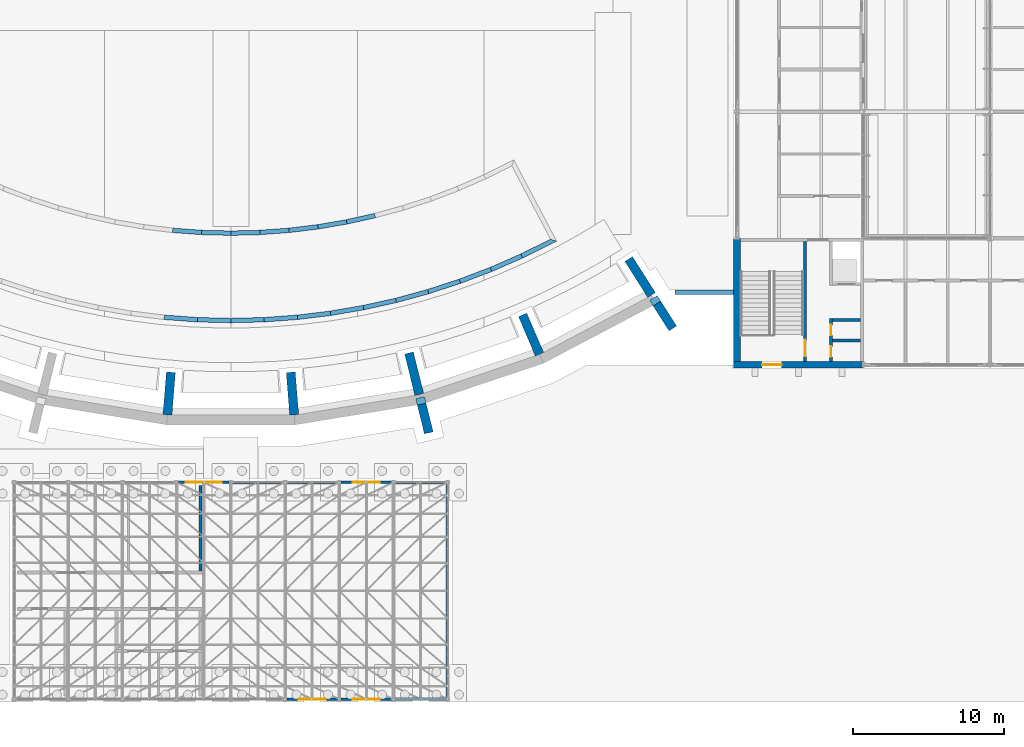
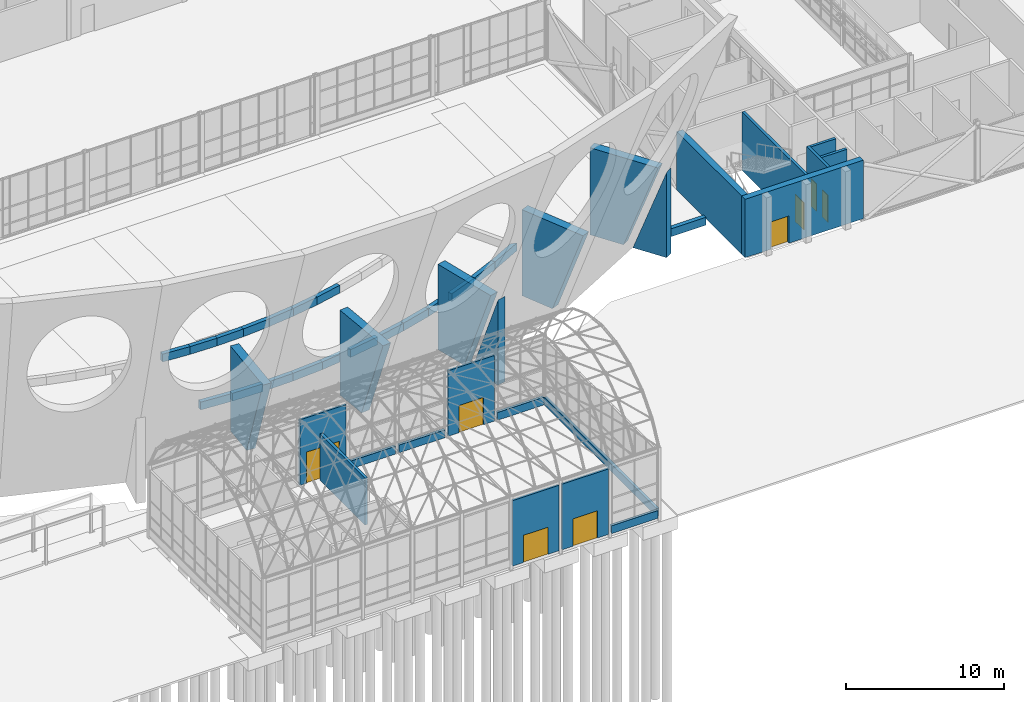
# One storey, part 87 of 116: 43 walls, 8 doors, 8 openings.
"""IFC4 building model written with IfcOpenShell, lengths in metres."""

from ifc_helpers import new_model, si_unit, direction, frame, frame_2d, origin, place, context, subcontext, project, spatial, polyline, rectangle, outline, extrude, material, layer, layer_set, type_object, element, fill, save


model = new_model("IFC4")

# Units and contexts
model_context = context("Model", 3, precision=1e-05, world=origin(), true_north=direction((0.0, 1.0)))
body_context = subcontext(model_context, "Body", "Model", "MODEL_VIEW")
ifc_project = project(units=[si_unit("LENGTHUNIT", "METRE"), si_unit("AREAUNIT", "SQUARE_METRE"), si_unit("VOLUMEUNIT", "CUBIC_METRE"), si_unit("PLANEANGLEUNIT", "RADIAN"), si_unit("MASSUNIT", "GRAM", prefix="KILO")], contexts=[model_context])

# Site, building, storey
site_placement = place(None, origin())
site = spatial("IfcSite", under=ifc_project, at=site_placement, CompositionType="ELEMENT")
building_placement = place(site_placement, origin())
building = spatial("IfcBuilding", under=site, at=building_placement, Name="Ardhachandra Cancer Care Centre", CompositionType="ELEMENT")
storey_placement = place(building_placement, origin())
storey = spatial("IfcBuildingStorey", under=building, at=storey_placement, Name="L00", CompositionType="ELEMENT", Elevation=0.0)

# Walls
ifc_material_1 = material(Name="Concrete M40", Category="concrete")
ifc_layer_1 = layer(ifc_material_1, 0.60009765625)
ifc_layer_set_1 = layer_set([ifc_layer_1], Name="Concrete M40")
wall_type_1 = type_object("IfcWallType", Name="Buttress fin 600", PredefinedType="STANDARD", material=ifc_layer_set_1)
for number, where, z_axis, x_axis, name in (
    (1, (90.5673828125, 27.21142578125, 0.0), (0.0, 0.0, 1.0), (0.240189097283, -0.97072611871, 0.0), "Buttress fin 3"),
    (2, (106.057373046875, 33.8388671875, 0.0), (0.0, 0.0, 1.0), (0.536302707516, -0.84402571401, 0.0), "Buttress fin 4"),
):
    element("IfcWall", number, at=place(storey_placement, frame(where, z_axis=z_axis, x_axis=x_axis)), inside=storey, type_object=wall_type_1, Name=name, PredefinedType="STANDARD", context=body_context, shape_type="SweptSolid", body=[
        extrude(outline(polyline([(0.0, 0.0), (2.39990234375, 0.0), (2.39990234375, 6.572509765625), (0.0, 0.0)])), frame((0.0, 0.300048828125, 0.0), z_axis=(0.0, -1.0, 0.0), x_axis=(1.0, 0.0, 0.0)), (0.0, 0.0, 1.0), 0.60009765625),
    ])
ifc_material_2 = material(Name="Gypsum board corridor partition on steel studs", Category="steel")
ifc_layer_2 = layer(ifc_material_2, 0.199951171875)
ifc_layer_set_2 = layer_set([ifc_layer_2], Name="Gypsum board corridor partition on steel studs")
wall_type_2 = type_object("IfcWallType", Name="CORRIDOR WALL 200", PredefinedType="PARTITIONING", material=ifc_layer_set_2)
wall_1_placement = place(storey_placement, frame((76.0, 15.699951171875, 0.0), z_axis=(0.0, 0.0, 1.0), x_axis=(0.0, 1.0, 0.0)))
element("IfcWall", 3, at=wall_1_placement, inside=storey, type_object=wall_type_2, Name="R/wall/L00/v0076000_0015700", PredefinedType="PARTITIONING", context=body_context, shape_type="SweptSolid", body=[
    extrude(rectangle(XDim=5.675048828125, YDim=0.199951171875, at=frame_2d((2.83740234375, 0.0))), origin(), (0.0, 0.0, 1.0), 3.60009765625),
])

# Wall, opening, door
ifc_material_3 = material(Name="Concrete M40", Category="concrete")
ifc_layer_3 = layer(ifc_material_3, 0.449951171875)
ifc_layer_set_3 = layer_set([ifc_layer_3], Name="Concrete M40")
wall_type_3 = type_object("IfcWallType", Name="Core exterior wall RC 450", PredefinedType="SOLIDWALL", material=ifc_layer_set_3)
wall_2_placement = place(storey_placement, frame((111.375, 29.39990234375, 0.0), z_axis=(0.0, 0.0, 1.0), x_axis=(1.0, 0.0, 0.0)))
wall_2 = element("IfcWall", 4, at=wall_2_placement, inside=storey, type_object=wall_type_3, Name="Core wall K11 FAR", PredefinedType="SOLIDWALL", context=body_context, shape_type="SweptSolid", body=[
    extrude(rectangle(XDim=8.625, YDim=0.449951171875, at=frame_2d((4.3125, 0.0))), origin(), (0.0, 0.0, 1.0), 4.5),
])
opening_1_placement = place(wall_2_placement, frame((1.89990234375, 0.0, 0.0)))
opening_1 = element("IfcOpeningElement", 5, at=opening_1_placement, cuts=wall_2, Name="Opening L00-K11-6", PredefinedType="OPENING", context=body_context, shape_type="SweptSolid", body=[
    extrude(rectangle(XDim=1.300048828125, YDim=2.10009765625, at=frame_2d((0.64990234375, 1.050048828125))), frame((0.0, 0.23486328125, 0.0), z_axis=(0.0, -1.0, 0.0), x_axis=(1.0, 0.0, 0.0)), (0.0, 0.0, 1.0), 0.469970703125),
])
ifc_material_4 = material(Name="Steel door set", Category="steel")
door_type_1 = type_object("IfcDoorType", Name="Core exit double door 1300x2100 FD60S", OperationType="DOUBLE_DOOR_DOUBLE_SWING", PredefinedType="DOOR", material=ifc_material_4)
door_1_placement = place(opening_1_placement, origin())
door_1 = element("IfcDoor", 6, at=door_1_placement, inside=storey, type_object=door_type_1, Name="Stair exit door", OperationType="DOUBLE_DOOR_DOUBLE_SWING", OverallHeight=2.10009765625, OverallWidth=1.300048828125, PredefinedType="DOOR", context=body_context, shape_type="SweptSolid", body=[
    extrude(rectangle(XDim=1.300048828125, YDim=2.10009765625, at=frame_2d((0.64990234375, 1.050048828125))), frame((0.0, 0.02490234375, 0.0), z_axis=(0.0, -1.0, 0.0), x_axis=(1.0, 0.0, 0.0)), (0.0, 0.0, 1.0), 0.050048828125),
])
fill(opening_1, door_1)

# Wall
wall_3_placement = place(storey_placement, frame((111.60009765625, 37.800048828125, 0.0), z_axis=(0.0, 0.0, 1.0), x_axis=(0.0, -1.0, 0.0)))
element("IfcWall", 7, at=wall_3_placement, inside=storey, type_object=wall_type_3, Name="Core wall K11 UW", PredefinedType="SOLIDWALL", context=body_context, shape_type="SweptSolid", body=[
    extrude(rectangle(XDim=8.175048828125, YDim=0.449951171875, at=frame_2d((4.08740234375, 0.0))), origin(), (0.0, 0.0, 1.0), 4.5),
])

# Wall, opening, door
ifc_material_5 = material(Name="Concrete M40", Category="concrete")
ifc_layer_4 = layer(ifc_material_5, 0.199951171875)
ifc_layer_set_4 = layer_set([ifc_layer_4], Name="Concrete M40")
wall_type_4 = type_object("IfcWallType", Name="Core wall RC 200", PredefinedType="SOLIDWALL", material=ifc_layer_set_4)
wall_4_placement = place(storey_placement, frame((116.125, 37.60009765625, 0.0), z_axis=(0.0, 0.0, 1.0), x_axis=(0.0, -1.0, 0.0)))
wall_4 = element("IfcWall", 8, at=wall_4_placement, inside=storey, type_object=wall_type_4, Name="Core wall K11 P1", PredefinedType="SOLIDWALL", context=body_context, shape_type="SweptSolid", body=[
    extrude(rectangle(XDim=7.97509765625, YDim=0.199951171875, at=frame_2d((3.987548828125, 0.0))), origin(), (0.0, 0.0, 1.0), 4.5),
])
opening_2_placement = place(wall_4_placement, frame((6.53759765625, 0.0, 0.0)))
opening_2 = element("IfcOpeningElement", 9, at=opening_2_placement, cuts=wall_4, Name="Opening L00-K11-2", PredefinedType="OPENING", context=body_context, shape_type="SweptSolid", body=[
    extrude(rectangle(XDim=1.10009765625, YDim=2.10009765625, at=frame_2d((0.550048828125, 1.050048828125))), frame((0.0, 0.10986328125, 0.0), z_axis=(0.0, -1.0, 0.0), x_axis=(1.0, 0.0, 0.0)), (0.0, 0.0, 1.0), 0.219970703125),
])
ifc_material_6 = material(Name="Steel door set", Category="steel")
door_type_2 = type_object("IfcDoorType", Name="Stair door 1100x2100 FD60S", OperationType="NOTDEFINED", PredefinedType="DOOR", material=ifc_material_6)
door_2_placement = place(opening_2_placement, origin())
door_2 = element("IfcDoor", 10, at=door_2_placement, inside=storey, type_object=door_type_2, Name="Stair door", OperationType="SINGLE_SWING_LEFT", OverallHeight=2.10009765625, OverallWidth=1.10009765625, PredefinedType="DOOR", context=body_context, shape_type="SweptSolid", body=[
    extrude(rectangle(XDim=1.10009765625, YDim=2.10009765625, at=frame_2d((0.550048828125, 1.050048828125))), frame((0.0, 0.02490234375, 0.0), z_axis=(0.0, -1.0, 0.0), x_axis=(1.0, 0.0, 0.0)), (0.0, 0.0, 1.0), 0.050048828125),
])
fill(opening_2, door_2)

# Wall, openings, doors
wall_5_placement = place(storey_placement, frame((117.85009765625, 32.47509765625, 0.0), z_axis=(0.0, 0.0, 1.0), x_axis=(0.0, -1.0, 0.0)))
wall_5 = element("IfcWall", 11, at=wall_5_placement, inside=storey, type_object=wall_type_4, Name="Core wall K11 P2B", PredefinedType="SOLIDWALL", context=body_context, shape_type="SweptSolid", body=[
    extrude(rectangle(XDim=2.85009765625, YDim=0.199951171875, at=frame_2d((1.425048828125, 0.0))), origin(), (0.0, 0.0, 1.0), 4.35009765625),
])
opening_3_placement = place(wall_5_placement, frame((0.425048828125, 0.0, 0.0)))
opening_3 = element("IfcOpeningElement", 12, at=opening_3_placement, cuts=wall_5, Name="Opening L00-K11-4", PredefinedType="OPENING", context=body_context, shape_type="SweptSolid", body=[
    extrude(rectangle(XDim=0.699951171875, YDim=2.10009765625, at=frame_2d((0.35009765625, 1.050048828125))), frame((0.0, 0.10986328125, 0.0), z_axis=(0.0, -1.0, 0.0), x_axis=(1.0, 0.0, 0.0)), (0.0, 0.0, 1.0), 0.219970703125),
])
opening_4_placement = place(wall_5_placement, frame((1.85009765625, 0.0, 0.0)))
opening_4 = element("IfcOpeningElement", 13, at=opening_4_placement, cuts=wall_5, Name="Opening L00-K11-5", PredefinedType="OPENING", context=body_context, shape_type="SweptSolid", body=[
    extrude(rectangle(XDim=0.699951171875, YDim=2.10009765625, at=frame_2d((0.35009765625, 1.050048828125))), frame((0.0, 0.10986328125, 0.0), z_axis=(0.0, -1.0, 0.0), x_axis=(1.0, 0.0, 0.0)), (0.0, 0.0, 1.0), 0.219970703125),
])
ifc_material_7 = material(Name="Steel door set", Category="steel")
door_type_3 = type_object("IfcDoorType", Name="Riser access door 700x2100 FD120S", OperationType="NOTDEFINED", PredefinedType="DOOR", material=ifc_material_7)
door_3_placement = place(opening_3_placement, origin())
door_3 = element("IfcDoor", 14, at=door_3_placement, inside=storey, type_object=door_type_3, Name="Riser access door", OperationType="SINGLE_SWING_RIGHT", OverallHeight=2.10009765625, OverallWidth=0.699951171875, PredefinedType="DOOR", context=body_context, shape_type="SweptSolid", body=[
    extrude(rectangle(XDim=0.699951171875, YDim=2.10009765625, at=frame_2d((0.35009765625, 1.050048828125))), frame((0.0, 0.02490234375, 0.0), z_axis=(0.0, -1.0, 0.0), x_axis=(1.0, 0.0, 0.0)), (0.0, 0.0, 1.0), 0.050048828125),
])
fill(opening_3, door_3)
door_4_placement = place(opening_4_placement, origin())
door_4 = element("IfcDoor", 15, at=door_4_placement, inside=storey, type_object=door_type_3, Name="Riser access door", OperationType="SINGLE_SWING_LEFT", OverallHeight=2.10009765625, OverallWidth=0.699951171875, PredefinedType="DOOR", context=body_context, shape_type="SweptSolid", body=[
    extrude(rectangle(XDim=0.699951171875, YDim=2.10009765625, at=frame_2d((0.35009765625, 1.050048828125))), frame((0.0, 0.02490234375, 0.0), z_axis=(0.0, -1.0, 0.0), x_axis=(1.0, 0.0, 0.0)), (0.0, 0.0, 1.0), 0.050048828125),
])
fill(opening_4, door_4)

# Walls
for number, where, z_axis, x_axis, name in (
    (16, (117.949951171875, 32.375, 0.0), (0.0, 0.0, 1.0), (1.0, 0.0, 0.0), "Core wall K11 W2"),
    (17, (117.949951171875, 31.02490234375, 0.0), (0.0, 0.0, 1.0), (1.0, 0.0, 0.0), "Core wall K11 DIV"),
):
    element("IfcWall", number, at=place(storey_placement, frame(where, z_axis=z_axis, x_axis=x_axis)), inside=storey, type_object=wall_type_4, Name=name, PredefinedType="SOLIDWALL", context=body_context, shape_type="SweptSolid", body=[
        extrude(rectangle(XDim=1.85009765625, YDim=0.199951171875, at=frame_2d((0.925048828125, 0.0))), origin(), (0.0, 0.0, 1.0), 4.35009765625),
    ])
ifc_material_8 = material(Name="Concrete M40", Category="concrete")
ifc_layer_5 = layer(ifc_material_8, 0.60009765625)
ifc_layer_set_5 = layer_set([ifc_layer_5], Name="Concrete M40")
wall_type_5 = type_object("IfcWallType", Name="Counterfort rib 600", PredefinedType="STANDARD", material=ifc_layer_set_5)
for number, where, z_axis, x_axis, name in (
    (18, (73.634765625, 24.130126953125, 0.0), (0.0, 0.0, 1.0), (0.080767980253, 0.996732929809, 0.0), "Counterfort rib 4"),
    (19, (82.365234375, 24.130126953125, 0.0), (0.0, 0.0, 1.0), (-0.080767980253, 0.996732929809, 0.0), "Counterfort rib 5"),
):
    element("IfcWall", number, at=place(storey_placement, frame(where, z_axis=z_axis, x_axis=x_axis)), inside=storey, type_object=wall_type_5, Name=name, PredefinedType="STANDARD", context=body_context, shape_type="SweptSolid", body=[
        extrude(outline(polyline([(2.39111328125, 0.0), (4.791015625, 0.0), (4.791015625, 6.5478515625), (0.0, 6.5478515625), (2.39111328125, 0.0)])), frame((0.0, 0.300048828125, 0.0), z_axis=(0.0, -1.0, 0.0), x_axis=(1.0, 0.0, 0.0)), (0.0, 0.0, 1.0), 0.60009765625),
    ])
wall_6_placement = place(storey_placement, frame((90.984375, 25.52587890625, 0.0), z_axis=(0.0, 0.0, 1.0), x_axis=(-0.240213793432, 0.97072000775, 0.0)))
element("IfcWall", 20, at=wall_6_placement, inside=storey, type_object=wall_type_5, Name="Counterfort rib 6", PredefinedType="STANDARD", context=body_context, shape_type="SweptSolid", body=[
    extrude(outline(polyline([(2.401123046875, 0.0), (4.80126953125, 0.0), (4.80126953125, 6.57568359375), (0.0, 6.57568359375), (2.401123046875, 0.0)])), frame((0.0, 0.300048828125, 0.0), z_axis=(0.0, -1.0, 0.0), x_axis=(1.0, 0.0, 0.0)), (0.0, 0.0, 1.0), 0.60009765625),
])
wall_7_placement = place(storey_placement, frame((99.271728515625, 28.282958984375, 0.0), z_axis=(0.0, 0.0, 1.0), x_axis=(-0.39337528095, 0.919377989914, 0.0)))
element("IfcWall", 21, at=wall_7_placement, inside=storey, type_object=wall_type_5, Name="Counterfort rib 7", PredefinedType="STANDARD", context=body_context, shape_type="SweptSolid", body=[
    extrude(outline(polyline([(2.421142578125, 0.0), (4.8212890625, 0.0), (4.8212890625, 6.630615234375), (0.0, 6.630615234375), (2.421142578125, 0.0)])), frame((0.0, 0.300048828125, 0.0), z_axis=(0.0, -1.0, 0.0), x_axis=(1.0, 0.0, 0.0)), (0.0, 0.0, 1.0), 0.60009765625),
])
wall_8_placement = place(storey_placement, frame((107.014892578125, 32.331787109375, 0.0), z_axis=(0.0, 0.0, 1.0), x_axis=(-0.536259792521, 0.844052981113, 0.0)))
element("IfcWall", 22, at=wall_8_placement, inside=storey, type_object=wall_type_5, Name="Counterfort rib 8", PredefinedType="STANDARD", context=body_context, shape_type="SweptSolid", body=[
    extrude(outline(polyline([(2.45068359375, 0.0), (4.8505859375, 0.0), (4.8505859375, 6.711181640625), (0.0, 6.711181640625), (2.45068359375, 0.0)])), frame((0.0, 0.300048828125, 0.0), z_axis=(0.0, -1.0, 0.0), x_axis=(1.0, 0.0, 0.0)), (0.0, 0.0, 1.0), 0.60009765625),
])
ifc_material_9 = material(Name="Concrete M40", Category="concrete")
ifc_layer_6 = layer(ifc_material_9, 0.300048828125)
ifc_layer_set_6 = layer_set([ifc_layer_6], Name="Concrete M40")
wall_type_6 = type_object("IfcWallType", Name="Court edge kerb wall 300", PredefinedType="SOLIDWALL", material=ifc_layer_set_6)
wall_9_placement = place(storey_placement, frame((107.49853515625, 34.229736328125, -0.449951171875), z_axis=(0.0, 0.0, 1.0), x_axis=(1.0, 0.0, 0.0)))
element("IfcWall", 23, at=wall_9_placement, inside=storey, type_object=wall_type_6, Name="Court edge kerb east", PredefinedType="SOLIDWALL", context=body_context, shape_type="SweptSolid", body=[
    extrude(rectangle(XDim=3.87646484375, YDim=0.300048828125, at=frame_2d((1.938232421875, 0.0))), origin(), (0.0, 0.0, 1.0), 0.599853515625),
])

# Wall, opening, door
ifc_material_10 = material(Name="Aluminium glazing frame", Category="aluminium")
ifc_layer_7 = layer(ifc_material_10, 0.14990234375)
ifc_layer_set_7 = layer_set([ifc_layer_7], Name="Aluminium glazing frame")
wall_type_7 = type_object("IfcWallType", Name="Glazing frame wall 150", PredefinedType="SOLIDWALL", material=ifc_layer_set_7)
wall_10_placement = place(storey_placement, frame((81.715087890625, 7.199951171875, 0.0), z_axis=(0.0, 0.0, 1.0), x_axis=(1.0, 0.0, 0.0)))
wall_10 = element("IfcWall", 24, at=wall_10_placement, inside=storey, type_object=wall_type_7, Name="E/wall/L00/s/0081600_0007200", PredefinedType="SOLIDWALL", context=body_context, shape_type="SweptSolid", body=[
    extrude(rectangle(XDim=3.369873046875, YDim=0.14990234375, at=frame_2d((1.68505859375, 0.0))), origin(), (0.0, 0.0, 1.0), 5.050048828125),
])
opening_5_placement = place(wall_10_placement, frame((0.784912109375, 0.0, 0.0)))
opening_5 = element("IfcOpeningElement", 25, at=opening_5_placement, cuts=wall_10, Name="Opening L00-X17", PredefinedType="OPENING", context=body_context, shape_type="SweptSolid", body=[
    extrude(rectangle(XDim=1.800048828125, YDim=2.10009765625, at=frame_2d((0.89990234375, 1.050048828125))), frame((0.0, 0.0849609375, 0.0), z_axis=(0.0, -1.0, 0.0), x_axis=(1.0, 0.0, 0.0)), (0.0, 0.0, 1.0), 0.169921875),
])
ifc_material_11 = material(Name="Hollow steel door set with fire-rated infill", Category="steel")
door_type_4 = type_object("IfcDoorType", Name="Exit door pair 1800 x 2100", OperationType="DOUBLE_DOOR_SINGLE_SWING", PredefinedType="DOOR", material=ifc_material_11)
door_5_placement = place(opening_5_placement, origin())
door_5 = element("IfcDoor", 26, at=door_5_placement, inside=storey, type_object=door_type_4, Name="Pavilion Garden Door L00-X17", OperationType="SINGLE_SWING_LEFT", OverallHeight=2.10009765625, OverallWidth=1.800048828125, PredefinedType="DOOR", context=body_context, shape_type="SweptSolid", body=[
    extrude(rectangle(XDim=1.800048828125, YDim=2.10009765625, at=frame_2d((0.89990234375, 1.050048828125))), frame((0.0, 0.02490234375, 0.0), z_axis=(0.0, -1.0, 0.0), x_axis=(1.0, 0.0, 0.0)), (0.0, 0.0, 1.0), 0.050048828125),
])
fill(opening_5, door_5)

wall_11_placement = place(storey_placement, frame((85.31494140625, 7.199951171875, 0.0), z_axis=(0.0, 0.0, 1.0), x_axis=(1.0, 0.0, 0.0)))
wall_11 = element("IfcWall", 27, at=wall_11_placement, inside=storey, type_object=wall_type_7, Name="E/wall/L00/s/0085200_0007200", PredefinedType="SOLIDWALL", context=body_context, shape_type="SweptSolid", body=[
    extrude(rectangle(XDim=3.3701171875, YDim=0.14990234375, at=frame_2d((1.68505859375, 0.0))), origin(), (0.0, 0.0, 1.0), 5.050048828125),
])
opening_6_placement = place(wall_11_placement, frame((0.784912109375, 0.0, 0.0)))
opening_6 = element("IfcOpeningElement", 28, at=opening_6_placement, cuts=wall_11, Name="Opening L00-X19", PredefinedType="OPENING", context=body_context, shape_type="SweptSolid", body=[
    extrude(rectangle(XDim=1.800048828125, YDim=2.10009765625, at=frame_2d((0.89990234375, 1.050048828125))), frame((0.0, 0.0849609375, 0.0), z_axis=(0.0, -1.0, 0.0), x_axis=(1.0, 0.0, 0.0)), (0.0, 0.0, 1.0), 0.169921875),
])
door_6_placement = place(opening_6_placement, origin())
door_6 = element("IfcDoor", 29, at=door_6_placement, inside=storey, type_object=door_type_4, Name="Garden Hall South Exit Door L00-X19", OperationType="SINGLE_SWING_LEFT", OverallHeight=2.10009765625, OverallWidth=1.800048828125, PredefinedType="DOOR", context=body_context, shape_type="SweptSolid", body=[
    extrude(rectangle(XDim=1.800048828125, YDim=2.10009765625, at=frame_2d((0.89990234375, 1.050048828125))), frame((0.0, 0.02490234375, 0.0), z_axis=(0.0, -1.0, 0.0), x_axis=(1.0, 0.0, 0.0)), (0.0, 0.0, 1.0), 0.050048828125),
])
fill(opening_6, door_6)

wall_12_placement = place(storey_placement, frame((74.514892578125, 21.60009765625, 0.0), z_axis=(0.0, 0.0, 1.0), x_axis=(1.0, 0.0, 0.0)))
wall_12 = element("IfcWall", 30, at=wall_12_placement, inside=storey, type_object=wall_type_7, Name="E/wall/L00/n/0074400_0021600", PredefinedType="SOLIDWALL", context=body_context, shape_type="SweptSolid", body=[
    extrude(rectangle(XDim=3.3701171875, YDim=0.14990234375, at=frame_2d((1.68505859375, 0.0))), origin(), (0.0, 0.0, 1.0), 5.050048828125),
])
opening_7_placement = place(wall_12_placement, frame((0.485107421875, 0.0, 0.0)))
opening_7 = element("IfcOpeningElement", 31, at=opening_7_placement, cuts=wall_12, Name="Opening L00-X16", PredefinedType="OPENING", context=body_context, shape_type="SweptSolid", body=[
    extrude(rectangle(XDim=2.39990234375, YDim=2.39990234375, at=frame_2d((1.199951171875, 1.199951171875))), frame((0.0, 0.0849609375, 0.0), z_axis=(0.0, -1.0, 0.0), x_axis=(1.0, 0.0, 0.0)), (0.0, 0.0, 1.0), 0.169921875),
])
ifc_material_12 = material(Name="Aluminium frame with toughened glass", Category="aluminium")
door_type_5 = type_object("IfcDoorType", Name="Entrance door pair 2400 x 2400", OperationType="SLIDING_TO_LEFT", PredefinedType="DOOR", material=ifc_material_12)
door_7_placement = place(opening_7_placement, origin())
door_7 = element("IfcDoor", 32, at=door_7_placement, inside=storey, type_object=door_type_5, Name="Pavilion Entrance L00-X16", OperationType="SINGLE_SWING_LEFT", OverallHeight=2.39990234375, OverallWidth=2.39990234375, PredefinedType="DOOR", context=body_context, shape_type="SweptSolid", body=[
    extrude(rectangle(XDim=2.39990234375, YDim=2.39990234375, at=frame_2d((1.199951171875, 1.199951171875))), frame((0.0, 0.02490234375, 0.0), z_axis=(0.0, -1.0, 0.0), x_axis=(1.0, 0.0, 0.0)), (0.0, 0.0, 1.0), 0.050048828125),
])
fill(opening_7, door_7)

wall_13_placement = place(storey_placement, frame((85.31494140625, 21.60009765625, 0.0), z_axis=(0.0, 0.0, 1.0), x_axis=(1.0, 0.0, 0.0)))
wall_13 = element("IfcWall", 33, at=wall_13_placement, inside=storey, type_object=wall_type_7, Name="E/wall/L00/n/0085200_0021600", PredefinedType="SOLIDWALL", context=body_context, shape_type="SweptSolid", body=[
    extrude(rectangle(XDim=3.3701171875, YDim=0.14990234375, at=frame_2d((1.68505859375, 0.0))), origin(), (0.0, 0.0, 1.0), 5.050048828125),
])
opening_8_placement = place(wall_13_placement, frame((0.784912109375, 0.0, 0.0)))
opening_8 = element("IfcOpeningElement", 34, at=opening_8_placement, cuts=wall_13, Name="Opening L00-X18", PredefinedType="OPENING", context=body_context, shape_type="SweptSolid", body=[
    extrude(rectangle(XDim=1.800048828125, YDim=2.10009765625, at=frame_2d((0.89990234375, 1.050048828125))), frame((0.0, 0.0849609375, 0.0), z_axis=(0.0, -1.0, 0.0), x_axis=(1.0, 0.0, 0.0)), (0.0, 0.0, 1.0), 0.169921875),
])
door_8_placement = place(opening_8_placement, origin())
door_8 = element("IfcDoor", 35, at=door_8_placement, inside=storey, type_object=door_type_4, Name="Garden Hall North Exit Door L00-X18", OperationType="SINGLE_SWING_LEFT", OverallHeight=2.10009765625, OverallWidth=1.800048828125, PredefinedType="DOOR", context=body_context, shape_type="SweptSolid", body=[
    extrude(rectangle(XDim=1.800048828125, YDim=2.10009765625, at=frame_2d((0.89990234375, 1.050048828125))), frame((0.0, 0.02490234375, 0.0), z_axis=(0.0, -1.0, 0.0), x_axis=(1.0, 0.0, 0.0)), (0.0, 0.0, 1.0), 0.050048828125),
])
fill(opening_8, door_8)

# Walls
ifc_material_13 = material(Name="Stone masonry (sandstone, cement mortar)", Category="masonry")
ifc_layer_8 = layer(ifc_material_13, 0.199951171875)
ifc_layer_set_8 = layer_set([ifc_layer_8], Name="Stone masonry (sandstone, cement mortar)")
wall_type_8 = type_object("IfcWallType", Name="Pavilion low wall 200", PredefinedType="SOLIDWALL", material=ifc_layer_set_8)
wall_14_placement = place(storey_placement, frame((88.9150390625, 7.199951171875, 0.0), z_axis=(0.0, 0.0, 1.0), x_axis=(1.0, 0.0, 0.0)))
element("IfcWall", 36, at=wall_14_placement, inside=storey, type_object=wall_type_8, Name="Pavilion plinth wall s 8", PredefinedType="SOLIDWALL", context=body_context, shape_type="SweptSolid", body=[
    extrude(rectangle(XDim=3.369873046875, YDim=0.199951171875, at=frame_2d((1.68505859375, 0.0))), origin(), (0.0, 0.0, 1.0), 0.60009765625),
])
wall_15_placement = place(storey_placement, frame((78.114990234375, 21.60009765625, 0.0), z_axis=(0.0, 0.0, 1.0), x_axis=(1.0, 0.0, 0.0)))
element("IfcWall", 37, at=wall_15_placement, inside=storey, type_object=wall_type_8, Name="Pavilion plinth wall n 5", PredefinedType="SOLIDWALL", context=body_context, shape_type="SweptSolid", body=[
    extrude(rectangle(XDim=3.3701171875, YDim=0.199951171875, at=frame_2d((1.68505859375, 0.0))), origin(), (0.0, 0.0, 1.0), 0.60009765625),
])
for number, where, z_axis, x_axis, name in (
    (38, (81.715087890625, 21.60009765625, 0.0), (0.0, 0.0, 1.0), (1.0, 0.0, 0.0), "Pavilion plinth wall n 6"),
    (39, (88.9150390625, 21.60009765625, 0.0), (0.0, 0.0, 1.0), (1.0, 0.0, 0.0), "Pavilion plinth wall n 8"),
):
    element("IfcWall", number, at=place(storey_placement, frame(where, z_axis=z_axis, x_axis=x_axis)), inside=storey, type_object=wall_type_8, Name=name, PredefinedType="SOLIDWALL", context=body_context, shape_type="SweptSolid", body=[
        extrude(rectangle(XDim=3.369873046875, YDim=0.199951171875, at=frame_2d((1.68505859375, 0.0))), origin(), (0.0, 0.0, 1.0), 0.60009765625),
    ])
wall_16_placement = place(storey_placement, frame((92.39990234375, 7.31494140625, 0.0), z_axis=(0.0, 0.0, 1.0), x_axis=(0.0, 1.0, 0.0)))
element("IfcWall", 40, at=wall_16_placement, inside=storey, type_object=wall_type_8, Name="Pavilion end plinth wall e", PredefinedType="SOLIDWALL", context=body_context, shape_type="SweptSolid", body=[
    extrude(rectangle(XDim=14.170166015625, YDim=0.199951171875, at=frame_2d((7.0849609375, 0.0))), origin(), (0.0, 0.0, 1.0), 0.60009765625),
])
ifc_material_14 = material(Name="Granite", Category="masonry")
ifc_layer_9 = layer(ifc_material_14, 0.300048828125)
ifc_layer_set_9 = layer_set([ifc_layer_9], Name="Granite")
wall_type_9 = type_object("IfcWallType", Name="Pool kerb 300 granite", PredefinedType="SOLIDWALL", material=ifc_layer_set_9)
wall_17_placement = place(storey_placement, frame((0.0, 0.0, -0.449951171875)))
element("IfcWall", 41, at=wall_17_placement, inside=storey, type_object=wall_type_9, Name="Pool kerb 9", PredefinedType="SOLIDWALL", context=body_context, shape_type="SweptSolid", body=[
    extrude(outline(polyline([(73.591064453125, 32.703125), (75.79296875, 32.542724609375), (75.7783203125, 32.242919921875), (73.56201171875, 32.404541015625), (73.591064453125, 32.703125)])), origin(), (0.0, 0.0, 1.0), 0.599853515625),
])
wall_18_placement = place(storey_placement, frame((0.0, 0.0, -0.449951171875)))
element("IfcWall", 42, at=wall_18_placement, inside=storey, type_object=wall_type_9, Name="Pool kerb 10", PredefinedType="SOLIDWALL", context=body_context, shape_type="SweptSolid", body=[
    extrude(outline(polyline([(75.79296875, 32.542724609375), (78.0, 32.4892578125), (78.0, 32.18896484375), (75.7783203125, 32.242919921875), (75.79296875, 32.542724609375)])), origin(), (0.0, 0.0, 1.0), 0.599853515625),
])
wall_19_placement = place(storey_placement, frame((0.0, 0.0, -0.449951171875)))
element("IfcWall", 43, at=wall_19_placement, inside=storey, type_object=wall_type_9, Name="Pool kerb 11", PredefinedType="SOLIDWALL", context=body_context, shape_type="SweptSolid", body=[
    extrude(outline(polyline([(78.0, 32.4892578125), (80.20703125, 32.542724609375), (80.2216796875, 32.242919921875), (78.0, 32.18896484375), (78.0, 32.4892578125)])), origin(), (0.0, 0.0, 1.0), 0.599853515625),
])
wall_20_placement = place(storey_placement, frame((0.0, 0.0, -0.449951171875)))
element("IfcWall", 44, at=wall_20_placement, inside=storey, type_object=wall_type_9, Name="Pool kerb 12", PredefinedType="SOLIDWALL", context=body_context, shape_type="SweptSolid", body=[
    extrude(outline(polyline([(80.20703125, 32.542724609375), (82.408935546875, 32.703125), (82.43798828125, 32.404541015625), (80.2216796875, 32.242919921875), (80.20703125, 32.542724609375)])), origin(), (0.0, 0.0, 1.0), 0.599853515625),
])
wall_21_placement = place(storey_placement, frame((0.0, 0.0, -0.449951171875)))
element("IfcWall", 45, at=wall_21_placement, inside=storey, type_object=wall_type_9, Name="Pool kerb 13", PredefinedType="SOLIDWALL", context=body_context, shape_type="SweptSolid", body=[
    extrude(outline(polyline([(82.408935546875, 32.703125), (84.600341796875, 32.97021484375), (84.64404296875, 32.67333984375), (82.43798828125, 32.404541015625), (82.408935546875, 32.703125)])), origin(), (0.0, 0.0, 1.0), 0.599853515625),
])
wall_22_placement = place(storey_placement, frame((0.0, 0.0, -0.449951171875)))
element("IfcWall", 46, at=wall_22_placement, inside=storey, type_object=wall_type_9, Name="Pool kerb 14", PredefinedType="SOLIDWALL", context=body_context, shape_type="SweptSolid", body=[
    extrude(outline(polyline([(84.600341796875, 32.97021484375), (86.7763671875, 33.343505859375), (86.834228515625, 33.048828125), (84.64404296875, 32.67333984375), (84.600341796875, 32.97021484375)])), origin(), (0.0, 0.0, 1.0), 0.599853515625),
])
wall_23_placement = place(storey_placement, frame((0.0, 0.0, -0.449951171875)))
element("IfcWall", 47, at=wall_23_placement, inside=storey, type_object=wall_type_9, Name="Pool kerb 15", PredefinedType="SOLIDWALL", context=body_context, shape_type="SweptSolid", body=[
    extrude(outline(polyline([(86.7763671875, 33.343505859375), (88.931640625, 33.821533203125), (89.00390625, 33.5302734375), (86.834228515625, 33.048828125), (86.7763671875, 33.343505859375)])), origin(), (0.0, 0.0, 1.0), 0.599853515625),
])
wall_24_placement = place(storey_placement, frame((0.0, 0.0, -0.449951171875)))
element("IfcWall", 48, at=wall_24_placement, inside=storey, type_object=wall_type_9, Name="Pool kerb 16", PredefinedType="SOLIDWALL", context=body_context, shape_type="SweptSolid", body=[
    extrude(outline(polyline([(88.931640625, 33.821533203125), (91.061279296875, 34.403564453125), (91.1474609375, 34.1162109375), (89.00390625, 33.5302734375), (88.931640625, 33.821533203125)])), origin(), (0.0, 0.0, 1.0), 0.599853515625),
])
wall_25_placement = place(storey_placement, frame((0.0, 0.0, -0.449951171875)))
element("IfcWall", 49, at=wall_25_placement, inside=storey, type_object=wall_type_9, Name="Pool kerb 17", PredefinedType="SOLIDWALL", context=body_context, shape_type="SweptSolid", body=[
    extrude(outline(polyline([(91.061279296875, 34.403564453125), (93.16015625, 35.08837890625), (93.260009765625, 34.805419921875), (91.1474609375, 34.1162109375), (91.061279296875, 34.403564453125)])), origin(), (0.0, 0.0, 1.0), 0.599853515625),
])
wall_26_placement = place(storey_placement, frame((0.0, 0.0, -0.449951171875)))
element("IfcWall", 50, at=wall_26_placement, inside=storey, type_object=wall_type_9, Name="Pool kerb 18", PredefinedType="SOLIDWALL", context=body_context, shape_type="SweptSolid", body=[
    extrude(outline(polyline([(93.16015625, 35.08837890625), (95.223388671875, 35.8740234375), (95.3369140625, 35.59619140625), (93.260009765625, 34.805419921875), (93.16015625, 35.08837890625)])), origin(), (0.0, 0.0, 1.0), 0.599853515625),
])
wall_27_placement = place(storey_placement, frame((0.0, 0.0, -0.449951171875)))
element("IfcWall", 51, at=wall_27_placement, inside=storey, type_object=wall_type_9, Name="Pool kerb 19", PredefinedType="SOLIDWALL", context=body_context, shape_type="SweptSolid", body=[
    extrude(outline(polyline([(95.223388671875, 35.8740234375), (97.24609375, 36.7587890625), (97.372802734375, 36.487060546875), (95.3369140625, 35.59619140625), (95.223388671875, 35.8740234375)])), origin(), (0.0, 0.0, 1.0), 0.599853515625),
])
wall_28_placement = place(storey_placement, frame((0.0, 0.0, -0.449951171875)))
element("IfcWall", 52, at=wall_28_placement, inside=storey, type_object=wall_type_9, Name="Pool kerb 20", PredefinedType="SOLIDWALL", context=body_context, shape_type="SweptSolid", body=[
    extrude(outline(polyline([(97.24609375, 36.7587890625), (99.223388671875, 37.74072265625), (99.632080078125, 37.608642578125), (97.372802734375, 36.487060546875), (97.24609375, 36.7587890625)])), origin(), (0.0, 0.0, 1.0), 0.599853515625),
])
wall_29_placement = place(storey_placement, frame((0.0, 0.0, -0.449951171875)))
element("IfcWall", 53, at=wall_29_placement, inside=storey, type_object=wall_type_9, Name="Pool kerb 27", PredefinedType="SOLIDWALL", context=body_context, shape_type="SweptSolid", body=[
    extrude(outline(polyline([(87.610595703125, 39.16064453125), (85.7158203125, 38.740234375), (85.657958984375, 39.03466796875), (87.53857421875, 39.451904296875), (87.610595703125, 39.16064453125)])), origin(), (0.0, 0.0, 1.0), 0.599853515625),
])
wall_30_placement = place(storey_placement, frame((0.0, 0.0, -0.449951171875)))
element("IfcWall", 54, at=wall_30_placement, inside=storey, type_object=wall_type_9, Name="Pool kerb 28", PredefinedType="SOLIDWALL", context=body_context, shape_type="SweptSolid", body=[
    extrude(outline(polyline([(85.7158203125, 38.740234375), (83.802734375, 38.412109375), (83.75927734375, 38.708984375), (85.657958984375, 39.03466796875), (85.7158203125, 38.740234375)])), origin(), (0.0, 0.0, 1.0), 0.599853515625),
])
wall_31_placement = place(storey_placement, frame((0.0, 0.0, -0.449951171875)))
element("IfcWall", 55, at=wall_31_placement, inside=storey, type_object=wall_type_9, Name="Pool kerb 29", PredefinedType="SOLIDWALL", context=body_context, shape_type="SweptSolid", body=[
    extrude(outline(polyline([(83.802734375, 38.412109375), (81.876220703125, 38.17724609375), (81.846923828125, 38.47607421875), (83.75927734375, 38.708984375), (83.802734375, 38.412109375)])), origin(), (0.0, 0.0, 1.0), 0.599853515625),
])
wall_32_placement = place(storey_placement, frame((0.0, 0.0, -0.449951171875)))
element("IfcWall", 56, at=wall_32_placement, inside=storey, type_object=wall_type_9, Name="Pool kerb 30", PredefinedType="SOLIDWALL", context=body_context, shape_type="SweptSolid", body=[
    extrude(outline(polyline([(81.876220703125, 38.17724609375), (79.9404296875, 38.0361328125), (79.92578125, 38.3359375), (81.846923828125, 38.47607421875), (81.876220703125, 38.17724609375)])), origin(), (0.0, 0.0, 1.0), 0.599853515625),
])
wall_33_placement = place(storey_placement, frame((0.0, 0.0, -0.449951171875)))
element("IfcWall", 57, at=wall_33_placement, inside=storey, type_object=wall_type_9, Name="Pool kerb 31", PredefinedType="SOLIDWALL", context=body_context, shape_type="SweptSolid", body=[
    extrude(outline(polyline([(79.9404296875, 38.0361328125), (78.0, 37.9892578125), (78.0, 38.289306640625), (79.92578125, 38.3359375), (79.9404296875, 38.0361328125)])), origin(), (0.0, 0.0, 1.0), 0.599853515625),
])
wall_34_placement = place(storey_placement, frame((0.0, 0.0, -0.449951171875)))
element("IfcWall", 58, at=wall_34_placement, inside=storey, type_object=wall_type_9, Name="Pool kerb 32", PredefinedType="SOLIDWALL", context=body_context, shape_type="SweptSolid", body=[
    extrude(outline(polyline([(78.0, 37.9892578125), (76.0595703125, 38.0361328125), (76.07421875, 38.3359375), (78.0, 38.289306640625), (78.0, 37.9892578125)])), origin(), (0.0, 0.0, 1.0), 0.599853515625),
])
wall_35_placement = place(storey_placement, frame((0.0, 0.0, -0.449951171875)))
element("IfcWall", 59, at=wall_35_placement, inside=storey, type_object=wall_type_9, Name="Pool kerb 33", PredefinedType="SOLIDWALL", context=body_context, shape_type="SweptSolid", body=[
    extrude(outline(polyline([(76.0595703125, 38.0361328125), (74.123779296875, 38.17724609375), (74.153076171875, 38.47607421875), (76.07421875, 38.3359375), (76.0595703125, 38.0361328125)])), origin(), (0.0, 0.0, 1.0), 0.599853515625),
])

save(model, "model.ifc")
